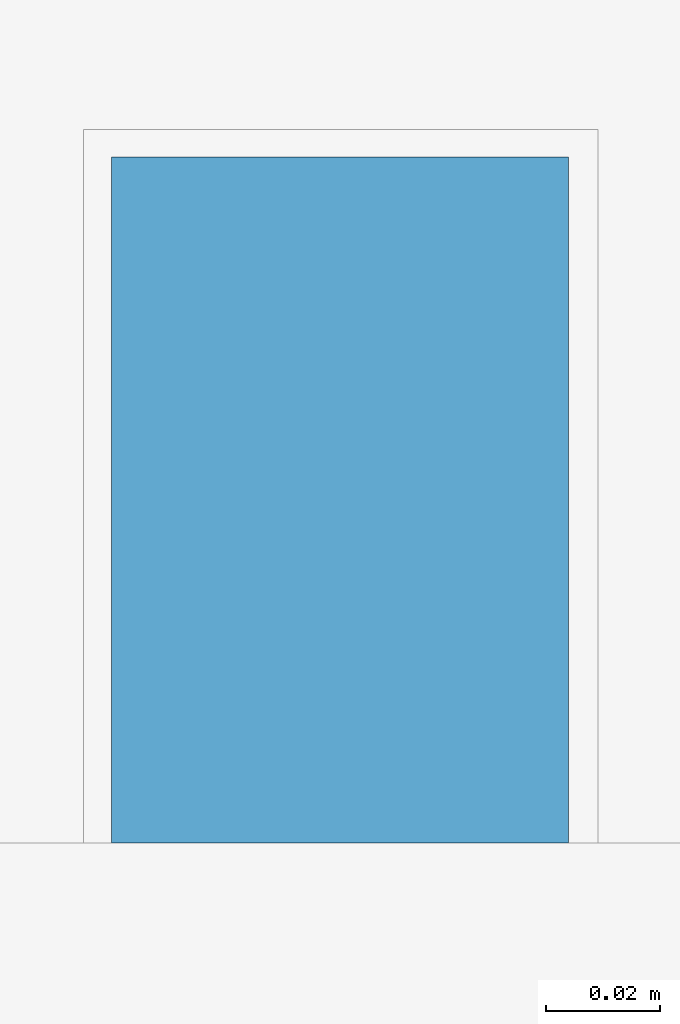
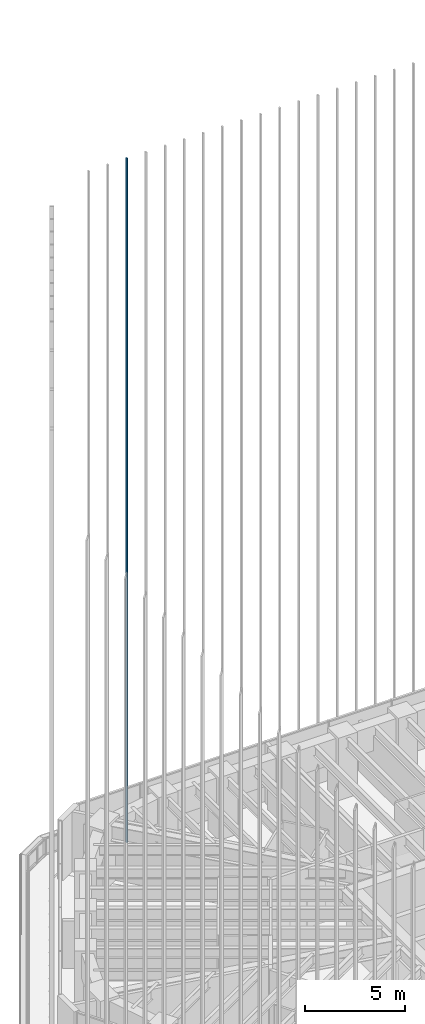
# One storey, part 68 of 127: 1 member, 1 element without a shape of its own.
"""IFC4 building model written with IfcOpenShell, lengths in metres."""

from ifc_helpers import new_model, si_unit, direction, frame, origin, origin_2d, place, context, subcontext, project, spatial, rectangle, extrude, material, material_profile, profile_set, type_object, element, aggregate, save


model = new_model("IFC4")

# Units and contexts
model_context = context("Model", 3, precision=1e-05, world=origin(), true_north=direction((0.0, 1.0)))
body_context = subcontext(model_context, "Body", "Model", "MODEL_VIEW")
ifc_project = project(units=[si_unit("LENGTHUNIT", "METRE"), si_unit("AREAUNIT", "SQUARE_METRE"), si_unit("VOLUMEUNIT", "CUBIC_METRE"), si_unit("PLANEANGLEUNIT", "RADIAN"), si_unit("MASSUNIT", "GRAM", prefix="KILO")], contexts=[model_context])

# Site, building, storey
site_placement = place(None, origin())
site = spatial("IfcSite", under=ifc_project, at=site_placement, CompositionType="ELEMENT")
building_placement = place(site_placement, origin())
building = spatial("IfcBuilding", under=site, at=building_placement, Name="Sandreach Pilgrim Tower", CompositionType="ELEMENT")
storey_placement = place(building_placement, frame((0.0, 0.0, 257.0)))
storey = spatial("IfcBuildingStorey", under=building, at=storey_placement, Name="L64", CompositionType="ELEMENT", Elevation=257.0)

# Curtain wall, member
ifc_material_1 = material(Name="Aluminium framed curtain wall", Category="aluminium")
curtain_wall_type = type_object("IfcCurtainWallType", Name="Suite tower curtain wall", PredefinedType="NOTDEFINED", material=ifc_material_1)
curtain_wall_placement = place(storey_placement, origin())
curtain_wall = element("IfcCurtainWall", 1, at=curtain_wall_placement, inside=storey, type_object=curtain_wall_type, Name="CW-4 L64 N", PredefinedType="NOTDEFINED")
ifc_material_2 = material(Name="Extruded terracotta on aluminium core", Category="masonry")
ifc_material_profile = material_profile(ifc_material_2, rectangle(XDim=0.080078125, YDim=0.1201171875, at=origin_2d()), Name="TBN 80X120")
ifc_profile_set = profile_set([ifc_material_profile], Name="Extruded terracotta on aluminium core")
member_type = type_object("IfcMemberType", Name="Terracotta baguette north", PredefinedType="USERDEFINED", material=ifc_profile_set)
member_placement = place(storey_placement, frame((-13.205078125, 20.1865234375, 0.0), z_axis=(0.0, 0.0, 1.0), x_axis=(1.0, 0.0, 0.0)))
member = element("IfcMember", 2, at=member_placement, type_object=member_type, Name="Baguette Z4 N03", ObjectType="BAGUETTE", PredefinedType="USERDEFINED", context=body_context, shape_type="SweptSolid", body=[
    extrude(rectangle(XDim=0.080078125, YDim=0.1201171875, at=origin_2d()), origin(), (0.0, 0.0, 1.0), 41.639892578125),
])
aggregate(curtain_wall, [member])

save(model, "model.ifc")
